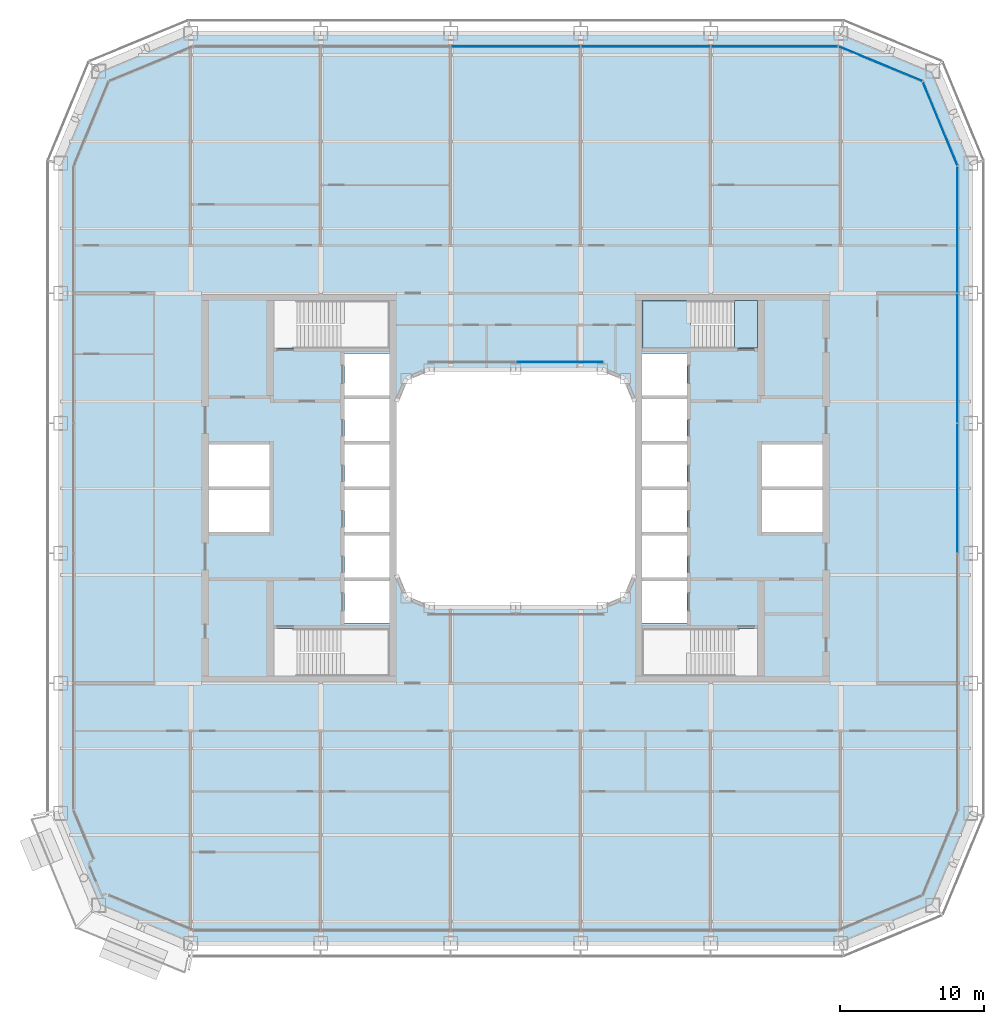
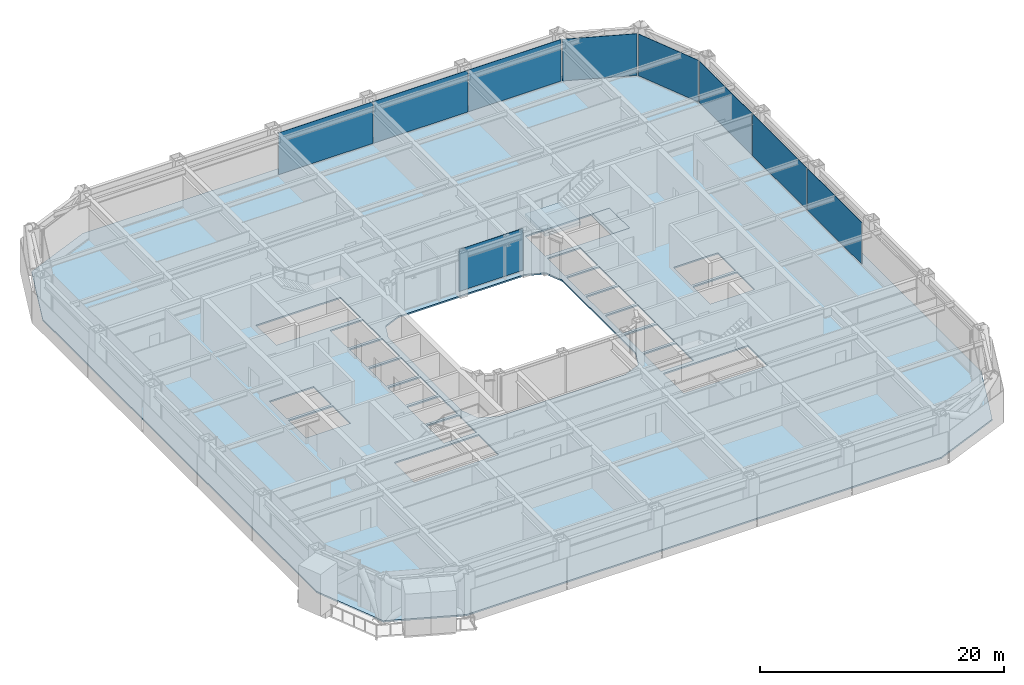
# One storey, part 12 of 27: 9 plates, 3 slabs, 6 elements without a shape of their own.
"""IFC4 building model written with IfcOpenShell, lengths in metres."""

from ifc_helpers import new_model, si_unit, direction, frame, origin, origin_2d, place, context, subcontext, project, spatial, polyline, rectangle, outline, extrude, material, layer, layer_set, type_object, element, aggregate, save


model = new_model("IFC4")

# Units and contexts
model_context = context("Model", 3, precision=1e-05, world=origin(), true_north=direction((0.0, 1.0)))
body_context = subcontext(model_context, "Body", "Model", "MODEL_VIEW")
ifc_project = project(units=[si_unit("LENGTHUNIT", "METRE"), si_unit("AREAUNIT", "SQUARE_METRE"), si_unit("VOLUMEUNIT", "CUBIC_METRE"), si_unit("PLANEANGLEUNIT", "RADIAN"), si_unit("MASSUNIT", "GRAM", prefix="KILO")], contexts=[model_context])

# Site, building, storey
site_placement = place(None, origin())
site = spatial("IfcSite", under=ifc_project, at=site_placement, CompositionType="ELEMENT")
building_placement = place(site_placement, origin())
building = spatial("IfcBuilding", under=site, at=building_placement, Name="Siwar Civic Tower", CompositionType="ELEMENT")
storey_placement = place(building_placement, frame((0.0, 0.0, 89.699951171875)))
storey = spatial("IfcBuildingStorey", under=building, at=storey_placement, Name="L19", CompositionType="ELEMENT", Elevation=89.699951171875)

# Stair, slabs
ifc_material_1 = material(Name="Concrete C40/50", Category="concrete")
stair_type = type_object("IfcStairType", Name="CORE-STAIR", PredefinedType="TWO_STRAIGHT_RUN_STAIR", material=ifc_material_1)
stair_placement = place(storey_placement, origin())
stair = element("IfcStair", 1, at=stair_placement, inside=storey, type_object=stair_type, Name="Exit stair ST3", PredefinedType="TWO_STRAIGHT_RUN_STAIR")
ifc_material_2 = material(Name="Concrete C40/50", Category="concrete")
ifc_layer_1 = layer(ifc_material_2, 0.300048828125)
ifc_layer_set_1 = layer_set([ifc_layer_1], Name="Concrete C40/50")
slab_type_1 = type_object("IfcSlabType", Name="CORE-STAIR-LANDING", PredefinedType="LANDING", material=ifc_layer_set_1)
slab_1_placement = place(storey_placement, frame((0.0, 0.0, -0.300048828125)))
slab_1 = element("IfcSlab", 2, at=slab_1_placement, type_object=slab_type_1, Name="ST3 landing 1", PredefinedType="LANDING", context=body_context, shape_type="SweptSolid", body=[
    extrude(outline(polyline([(15.14990234375, 9.699951171875), (16.75, 9.699951171875), (16.75, 13.0), (15.14990234375, 13.0), (15.14990234375, 9.699951171875)])), origin(), (0.0, 0.0, 1.0), 0.300048828125),
])
slab_2_placement = place(storey_placement, frame((0.0, 0.0, 1.949951171875)))
slab_2 = element("IfcSlab", 3, at=slab_2_placement, type_object=slab_type_1, Name="ST3 landing 2", PredefinedType="LANDING", context=body_context, shape_type="SweptSolid", body=[
    extrude(outline(polyline([(8.75, 9.699951171875), (12.139892578125, 9.699951171875), (12.139892578125, 13.0), (8.75, 13.0), (8.75, 9.699951171875)])), origin(), (0.0, 0.0, 1.0), 0.300048828125),
])
aggregate(stair, [slab_1, slab_2])

# Curtain wall, plates
ifc_material_3 = material(Name="Aluminium and glass", Category="aluminium")
ifc_layer_2 = layer(ifc_material_3, 0.219970703125)
ifc_layer_set_2 = layer_set([ifc_layer_2], Name="Aluminium and glass")
curtain_wall_type_1 = type_object("IfcCurtainWallType", Name="ENV-CW-A", PredefinedType="NOTDEFINED", material=ifc_layer_set_2)
curtain_wall_1_placement = place(storey_placement, origin())
curtain_wall_1 = element("IfcCurtainWall", 4, at=curtain_wall_1_placement, inside=storey, type_object=curtain_wall_type_1, Name="Curtain wall A E", PredefinedType="NOTDEFINED")
ifc_material_4 = material(Name="Glass clear laminated", Category="glass")
ifc_layer_3 = layer(ifc_material_4, 0.035888671875)
ifc_layer_set_3 = layer_set([ifc_layer_3], Name="Glass clear laminated")
plate_type_1 = type_object("IfcPlateType", Name="ENV-PANEL-A", PredefinedType="CURTAIN_PANEL", material=ifc_layer_set_3)
plate_1_placement = place(storey_placement, frame((30.60009765625, 0.0, 0.1201171875), z_axis=(0.0, 0.0, 1.0), x_axis=(0.0, 1.0, 0.0)))
plate_1 = element("IfcPlate", 5, at=plate_1_placement, type_object=plate_type_1, Name="Curtain panel A E 3", PredefinedType="CURTAIN_PANEL", context=body_context, shape_type="SweptSolid", body=[
    extrude(rectangle(XDim=8.929931640625, YDim=0.035888671875, at=origin_2d()), origin(), (0.0, 0.0, 1.0), 4.179931640625),
])
plate_2_placement = place(storey_placement, frame((30.60009765625, 9.0, 0.1201171875), z_axis=(0.0, 0.0, 1.0), x_axis=(0.0, 1.0, 0.0)))
plate_2 = element("IfcPlate", 6, at=plate_2_placement, type_object=plate_type_1, Name="Curtain panel A E 4", PredefinedType="CURTAIN_PANEL", context=body_context, shape_type="SweptSolid", body=[
    extrude(rectangle(XDim=8.929931640625, YDim=0.035888671875, at=origin_2d()), origin(), (0.0, 0.0, 1.0), 4.179931640625),
])
plate_3_placement = place(storey_placement, frame((30.60009765625, 17.86669921875, 0.1201171875), z_axis=(0.0, 0.0, 1.0), x_axis=(0.0, 1.0, 0.0)))
plate_3 = element("IfcPlate", 7, at=plate_3_placement, type_object=plate_type_1, Name="Curtain panel A E 5", PredefinedType="CURTAIN_PANEL", context=body_context, shape_type="SweptSolid", body=[
    extrude(rectangle(XDim=8.663330078125, YDim=0.035888671875, at=origin_2d()), origin(), (0.0, 0.0, 1.0), 4.179931640625),
])
aggregate(curtain_wall_1, [plate_1, plate_2, plate_3])

curtain_wall_2_placement = place(storey_placement, origin())
curtain_wall_2 = element("IfcCurtainWall", 8, at=curtain_wall_2_placement, inside=storey, type_object=curtain_wall_type_1, Name="Curtain wall A N", PredefinedType="NOTDEFINED")
plate_4_placement = place(storey_placement, frame((17.910400390625, 30.60009765625, 0.1201171875), z_axis=(0.0, 0.0, 1.0), x_axis=(-1.0, 0.0, 0.0)))
plate_4 = element("IfcPlate", 9, at=plate_4_placement, type_object=plate_type_1, Name="Curtain panel A N 1", PredefinedType="CURTAIN_PANEL", context=body_context, shape_type="SweptSolid", body=[
    extrude(rectangle(XDim=8.7509765625, YDim=0.035888671875, at=origin_2d()), origin(), (0.0, 0.0, 1.0), 4.179931640625),
])
plate_5_placement = place(storey_placement, frame((9.0, 30.60009765625, 0.1201171875), z_axis=(0.0, 0.0, 1.0), x_axis=(-1.0, 0.0, 0.0)))
plate_5 = element("IfcPlate", 10, at=plate_5_placement, type_object=plate_type_1, Name="Curtain panel A N 2", PredefinedType="CURTAIN_PANEL", context=body_context, shape_type="SweptSolid", body=[
    extrude(rectangle(XDim=8.929931640625, YDim=0.035888671875, at=origin_2d()), origin(), (0.0, 0.0, 1.0), 4.179931640625),
])
plate_6_placement = place(storey_placement, frame((0.0, 30.60009765625, 0.1201171875), z_axis=(0.0, 0.0, 1.0), x_axis=(-1.0, 0.0, 0.0)))
plate_6 = element("IfcPlate", 11, at=plate_6_placement, type_object=plate_type_1, Name="Curtain panel A N 3", PredefinedType="CURTAIN_PANEL", context=body_context, shape_type="SweptSolid", body=[
    extrude(rectangle(XDim=8.929931640625, YDim=0.035888671875, at=origin_2d()), origin(), (0.0, 0.0, 1.0), 4.179931640625),
])
aggregate(curtain_wall_2, [plate_4, plate_5, plate_6])

# Curtain wall, plate
ifc_material_5 = material(Name="Aluminium clad insulated panel", Category="aluminium")
ifc_layer_4 = layer(ifc_material_5, 0.219970703125)
ifc_layer_set_4 = layer_set([ifc_layer_4], Name="Aluminium clad insulated panel")
curtain_wall_type_2 = type_object("IfcCurtainWallType", Name="ENV-CW-AX", PredefinedType="NOTDEFINED", material=ifc_layer_set_4)
curtain_wall_3_placement = place(storey_placement, origin())
curtain_wall_3 = element("IfcCurtainWall", 12, at=curtain_wall_3_placement, inside=storey, type_object=curtain_wall_type_2, Name="Curtain wall A NE1", PredefinedType="NOTDEFINED")
ifc_material_6 = material(Name="Aluminium clad insulated panel", Category="aluminium")
ifc_layer_5 = layer(ifc_material_6, 0.035888671875)
ifc_layer_set_5 = layer_set([ifc_layer_5], Name="Aluminium clad insulated panel")
plate_type_2 = type_object("IfcPlateType", Name="ENV-PANEL-AX", PredefinedType="CURTAIN_PANEL", material=ifc_layer_set_5)
plate_7_placement = place(storey_placement, frame((29.404296875, 25.20751953125, 0.1201171875), z_axis=(0.0, 0.0, 1.0), x_axis=(-0.382683432365, 0.923879532511, 0.0)))
plate_7 = element("IfcPlate", 13, at=plate_7_placement, type_object=plate_type_2, Name="Curtain panel A NE1 1", PredefinedType="CURTAIN_PANEL", context=body_context, shape_type="SweptSolid", body=[
    extrude(rectangle(XDim=6.178955078125, YDim=0.035888671875, at=origin_2d()), origin(), (0.0, 0.0, 1.0), 4.179931640625),
])
aggregate(curtain_wall_3, [plate_7])

curtain_wall_4_placement = place(storey_placement, origin())
curtain_wall_4 = element("IfcCurtainWall", 14, at=curtain_wall_4_placement, inside=storey, type_object=curtain_wall_type_2, Name="Curtain wall A NE2", PredefinedType="NOTDEFINED")
plate_8_placement = place(storey_placement, frame((25.28857421875, 29.370849609375, 0.1201171875), z_axis=(0.0, 0.0, 1.0), x_axis=(-0.923879532511, 0.382683432365, 0.0)))
plate_8 = element("IfcPlate", 15, at=plate_8_placement, type_object=plate_type_2, Name="Curtain panel A NE2 1", PredefinedType="CURTAIN_PANEL", context=body_context, shape_type="SweptSolid", body=[
    extrude(rectangle(XDim=6.178955078125, YDim=0.035888671875, at=origin_2d()), origin(), (0.0, 0.0, 1.0), 4.179931640625),
])
aggregate(curtain_wall_4, [plate_8])

ifc_material_7 = material(Name="Aluminium and glass", Category="aluminium")
ifc_layer_6 = layer(ifc_material_7, 0.179931640625)
ifc_layer_set_6 = layer_set([ifc_layer_6], Name="Aluminium and glass")
curtain_wall_type_3 = type_object("IfcCurtainWallType", Name="ENV-CW-W", PredefinedType="NOTDEFINED", material=ifc_layer_set_6)
curtain_wall_5_placement = place(storey_placement, origin())
curtain_wall_5 = element("IfcCurtainWall", 16, at=curtain_wall_5_placement, inside=storey, type_object=curtain_wall_type_3, Name="Curtain wall W WN", PredefinedType="NOTDEFINED")
ifc_material_8 = material(Name="Glass clear laminated", Category="glass")
ifc_layer_7 = layer(ifc_material_8, 0.031982421875)
ifc_layer_set_7 = layer_set([ifc_layer_7], Name="Glass clear laminated")
plate_type_3 = type_object("IfcPlateType", Name="ENV-PANEL-W", PredefinedType="CURTAIN_PANEL", material=ifc_layer_set_7)
plate_9_placement = place(storey_placement, frame((3.04833984375, 8.735107421875, 0.10009765625), z_axis=(0.0, 0.0, 1.0), x_axis=(-1.0, 0.0, 0.0)))
plate_9 = element("IfcPlate", 17, at=plate_9_placement, type_object=plate_type_3, Name="Curtain panel W WN 1", PredefinedType="CURTAIN_PANEL", context=body_context, shape_type="SweptSolid", body=[
    extrude(rectangle(XDim=6.036376953125, YDim=0.031982421875, at=origin_2d()), origin(), (0.0, 0.0, 1.0), 4.199951171875),
])
aggregate(curtain_wall_5, [plate_9])

# Slab
ifc_material_9 = material(Name="Concrete C40/50", Category="concrete")
ifc_layer_8 = layer(ifc_material_9, 0.14990234375)
ifc_layer_set_8 = layer_set([ifc_layer_8], Name="Concrete C40/50")
slab_type_2 = type_object("IfcSlabType", Name="STR-FLOOR-DECK-150", PredefinedType="FLOOR", material=ifc_layer_set_8)
slab_3_placement = place(storey_placement, frame((0.0, 0.0, -0.14990234375)))
element("IfcSlab", 18, at=slab_3_placement, inside=storey, type_object=slab_type_2, Name="L19/slab/1", PredefinedType="FLOOR", context=body_context, shape_type="SweptSolid", body=[
    extrude(outline(polyline([(-22.5, -31.5), (22.5, -31.5), (28.864013671875, -28.864013671875), (31.5, -22.5), (31.5, 22.5), (28.864013671875, 28.864013671875), (22.5, 31.5), (-22.5, 31.5), (-28.864013671875, 28.864013671875), (-31.5, 22.5), (-31.5, -22.5), (-28.864013671875, -28.864013671875), (-22.5, -31.5)]), holes=[polyline([(21.25, 3.02490234375), (21.25, 0.125), (17.050048828125, 0.125), (17.050048828125, 3.02490234375), (21.25, 3.02490234375)]), polyline([(17.050048828125, -0.125), (21.25, -0.125), (21.25, -3.02490234375), (17.050048828125, -3.02490234375), (17.050048828125, -0.125)]), polyline([(16.75, 13.0), (16.75, 9.699951171875), (8.75, 9.699951171875), (8.75, 13.0), (16.75, 13.0)]), polyline([(8.75, -9.699951171875), (16.75, -9.699951171875), (16.75, -13.0), (8.75, -13.0), (8.75, -9.699951171875)]), polyline([(11.85009765625, 9.324951171875), (11.85009765625, 6.425048828125), (8.75, 6.425048828125), (8.75, 9.324951171875), (11.85009765625, 9.324951171875)]), polyline([(11.85009765625, 3.02490234375), (11.85009765625, 0.125), (8.75, 0.125), (8.75, 3.02490234375), (11.85009765625, 3.02490234375)]), polyline([(11.85009765625, -0.125), (11.85009765625, -3.02490234375), (8.75, -3.02490234375), (8.75, -0.125), (11.85009765625, -0.125)]), polyline([(11.85009765625, -3.27490234375), (11.85009765625, -6.175048828125), (8.75, -6.175048828125), (8.75, -3.27490234375), (11.85009765625, -3.27490234375)]), polyline([(8.75, 6.175048828125), (11.85009765625, 6.175048828125), (11.85009765625, 3.27490234375), (8.75, 3.27490234375), (8.75, 6.175048828125)]), polyline([(8.75, -6.425048828125), (11.85009765625, -6.425048828125), (11.85009765625, -9.324951171875), (8.75, -9.324951171875), (8.75, -6.425048828125)]), polyline([(-6.0, 8.25), (6.0, 8.25), (7.591064453125, 7.591064453125), (8.25, 6.0), (8.25, -6.0), (7.591064453125, -7.591064453125), (6.0, -8.25), (-6.0, -8.25), (-7.591064453125, -7.591064453125), (-8.25, -6.0), (-8.25, 6.0), (-7.591064453125, 7.591064453125), (-6.0, 8.25)]), polyline([(-8.75, 9.699951171875), (-16.75, 9.699951171875), (-16.75, 13.0), (-8.75, 13.0), (-8.75, 9.699951171875)]), polyline([(-8.75, 0.125), (-11.85009765625, 0.125), (-11.85009765625, 3.02490234375), (-8.75, 3.02490234375), (-8.75, 0.125)]), polyline([(-8.75, -6.175048828125), (-11.85009765625, -6.175048828125), (-11.85009765625, -3.27490234375), (-8.75, -3.27490234375), (-8.75, -6.175048828125)]), polyline([(-8.75, -9.324951171875), (-11.85009765625, -9.324951171875), (-11.85009765625, -6.425048828125), (-8.75, -6.425048828125), (-8.75, -9.324951171875)]), polyline([(-8.75, -13.0), (-16.75, -13.0), (-16.75, -9.699951171875), (-8.75, -9.699951171875), (-8.75, -13.0)]), polyline([(-11.85009765625, 6.425048828125), (-11.85009765625, 9.324951171875), (-8.75, 9.324951171875), (-8.75, 6.425048828125), (-11.85009765625, 6.425048828125)]), polyline([(-11.85009765625, 3.27490234375), (-11.85009765625, 6.175048828125), (-8.75, 6.175048828125), (-8.75, 3.27490234375), (-11.85009765625, 3.27490234375)]), polyline([(-11.85009765625, -3.02490234375), (-11.85009765625, -0.125), (-8.75, -0.125), (-8.75, -3.02490234375), (-11.85009765625, -3.02490234375)]), polyline([(-21.25, -3.02490234375), (-21.25, -0.125), (-17.050048828125, -0.125), (-17.050048828125, -3.02490234375), (-21.25, -3.02490234375)]), polyline([(-17.050048828125, 0.125), (-21.25, 0.125), (-21.25, 3.02490234375), (-17.050048828125, 3.02490234375), (-17.050048828125, 0.125)])]), origin(), (0.0, 0.0, 1.0), 0.14990234375),
])

save(model, "model.ifc")
